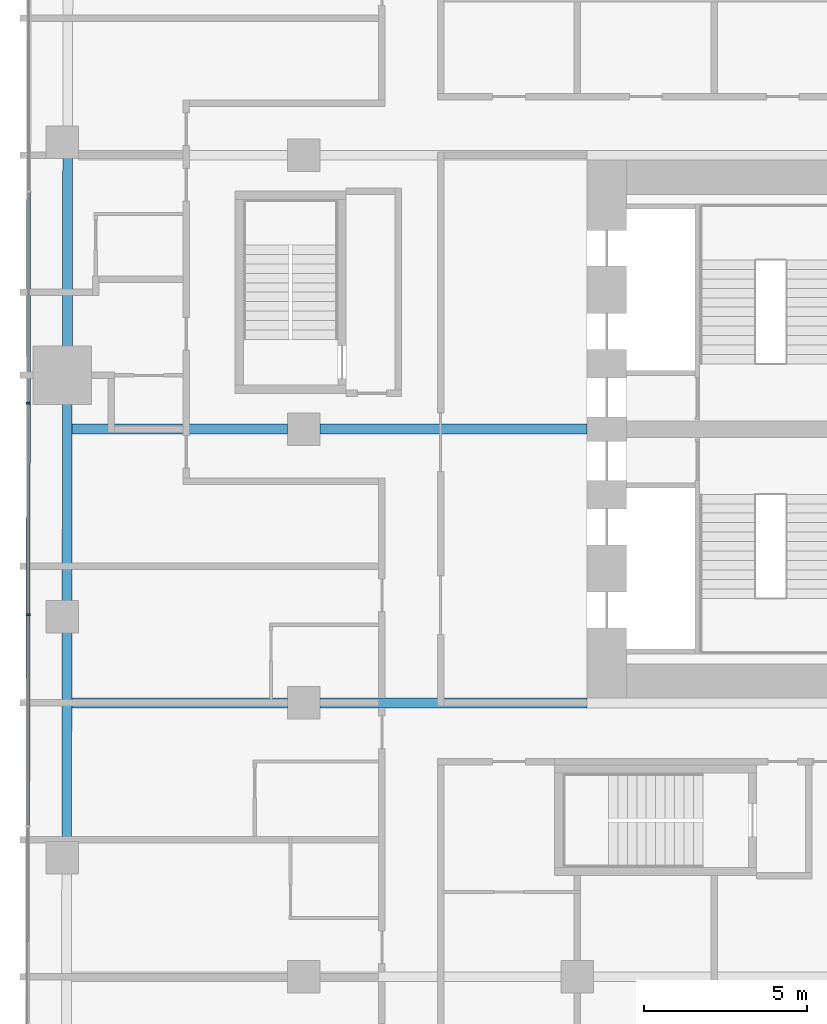
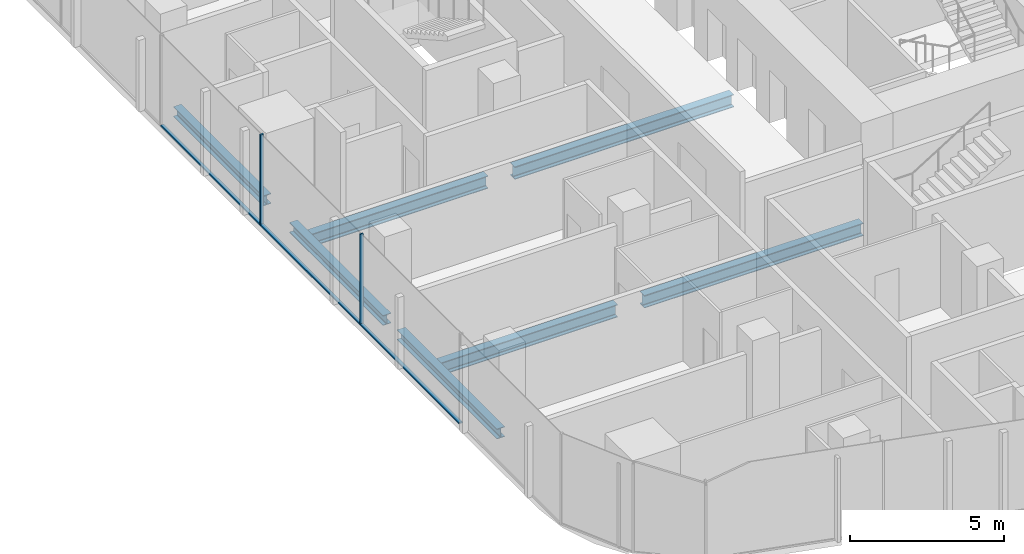
# One storey, part 4 of 26: 7 beams, 5 members, 1 element without a shape of its own.
"""IFC4 building model written with IfcOpenShell, lengths in metres."""

from ifc_helpers import new_model, si_unit, direction, frame, origin, origin_2d, place, context, subcontext, project, spatial, rectangle, i_section, extrude, material, layer, layer_set, material_profile, profile_set, type_object, element, aggregate, save


model = new_model("IFC4")

# Units and contexts
model_context = context("Model", 3, precision=1e-05, world=origin(), true_north=direction((0.0, 1.0)))
body_context = subcontext(model_context, "Body", "Model", "MODEL_VIEW")
ifc_project = project(units=[si_unit("LENGTHUNIT", "METRE"), si_unit("AREAUNIT", "SQUARE_METRE"), si_unit("VOLUMEUNIT", "CUBIC_METRE"), si_unit("PLANEANGLEUNIT", "RADIAN"), si_unit("MASSUNIT", "GRAM", prefix="KILO")], contexts=[model_context])

# Site, building, storey
site_placement = place(None, origin())
site = spatial("IfcSite", under=ifc_project, at=site_placement, CompositionType="ELEMENT")
building_placement = place(site_placement, origin())
building = spatial("IfcBuilding", under=site, at=building_placement, Name="Marenta Gate Hotel Tower", CompositionType="ELEMENT")
storey_placement = place(building_placement, frame((0.0, 0.0, 58.10009765625)))
storey = spatial("IfcBuildingStorey", under=building, at=storey_placement, Name="L12", CompositionType="ELEMENT", Elevation=58.10009765625)

# Beams
ifc_material_1 = material(Name="Steel S355", Category="steel")
ifc_material_profile_1 = material_profile(ifc_material_1, i_section(OverallWidth=0.300048828125, OverallDepth=0.39990234375, WebThickness=0.013427734375, FlangeThickness=0.02392578125, FilletRadius=0.027099609375, at=origin_2d()), Name="HEB 400")
ifc_profile_set_1 = profile_set([ifc_material_profile_1], Name="Steel S355")
beam_type_1 = type_object("IfcBeamType", Name="Edge beam HEB 400", PredefinedType="SPANDREL", material=ifc_profile_set_1)
beam_1_placement = place(storey_placement, frame((-28.267333984375, -4.2919921875, -0.460205078125), z_axis=(0.001393753119, 0.999999028726, 0.0), x_axis=(-0.999999028726, 0.001393753119, 0.0)))
element("IfcBeam", 1, at=beam_1_placement, inside=storey, type_object=beam_type_1, Name="L12-EB-6", PredefinedType="SPANDREL", context=body_context, shape_type="SweptSolid", body=[
    extrude(i_section(OverallWidth=0.300048828125, OverallDepth=0.39990234375, WebThickness=0.013427734375, FlangeThickness=0.02392578125, FilletRadius=0.027099609375, at=origin_2d()), origin(), (0.0, 0.0, 1.0), 6.481201171875),
])
beam_2_placement = place(storey_placement, frame((-28.257080078125, 3.109130859375, -0.460205078125), z_axis=(0.001405226059, 0.999999012669, 0.0), x_axis=(-0.999999012669, 0.001405226059, 0.0)))
element("IfcBeam", 2, at=beam_2_placement, inside=storey, type_object=beam_type_1, Name="L12-EB-7", PredefinedType="SPANDREL", context=body_context, shape_type="SweptSolid", body=[
    extrude(i_section(OverallWidth=0.300048828125, OverallDepth=0.39990234375, WebThickness=0.013427734375, FlangeThickness=0.02392578125, FilletRadius=0.027099609375, at=origin_2d()), origin(), (0.0, 0.0, 1.0), 6.080810546875),
])
beam_3_placement = place(storey_placement, frame((-28.246337890625, 10.909912109375, -0.460205078125), z_axis=(0.001423009483, 0.999998987521, 0.0), x_axis=(-0.999998987521, 0.001423009483, 0.0)))
element("IfcBeam", 3, at=beam_3_placement, inside=storey, type_object=beam_type_1, Name="L12-EB-8", PredefinedType="SPANDREL", context=body_context, shape_type="SweptSolid", body=[
    extrude(i_section(OverallWidth=0.300048828125, OverallDepth=0.39990234375, WebThickness=0.013427734375, FlangeThickness=0.02392578125, FilletRadius=0.027099609375, at=origin_2d()), origin(), (0.0, 0.0, 1.0), 5.833251953125),
])
ifc_material_2 = material(Name="Steel S355", Category="steel")
ifc_material_profile_2 = material_profile(ifc_material_2, i_section(OverallWidth=0.300048828125, OverallDepth=0.5, WebThickness=0.014404296875, FlangeThickness=0.028076171875, FilletRadius=0.027099609375, at=origin_2d()), Name="HEB 500")
ifc_profile_set_2 = profile_set([ifc_material_profile_2], Name="Steel S355")
beam_type_2 = type_object("IfcBeamType", Name="Girder HEB 500", PredefinedType="BEAM", material=ifc_profile_set_2)
beam_4_placement = place(storey_placement, frame((-28.111328125, 0.0, -0.510009765625), z_axis=(1.0, 0.0, 0.0), x_axis=(0.0, 1.0, 0.0)))
element("IfcBeam", 4, at=beam_4_placement, inside=storey, type_object=beam_type_2, Name="L12-GD-8", PredefinedType="BEAM", context=body_context, shape_type="SweptSolid", body=[
    extrude(i_section(OverallWidth=0.300048828125, OverallDepth=0.5, WebThickness=0.014404296875, FlangeThickness=0.028076171875, FilletRadius=0.027099609375, at=origin_2d()), origin(), (0.0, 0.0, 1.0), 6.611328125),
])
beam_5_placement = place(storey_placement, frame((-20.5, 0.0, -0.510009765625), z_axis=(1.0, 0.0, 0.0), x_axis=(0.0, 1.0, 0.0)))
element("IfcBeam", 5, at=beam_5_placement, inside=storey, type_object=beam_type_2, Name="L12-GD-9", PredefinedType="BEAM", context=body_context, shape_type="SweptSolid", body=[
    extrude(i_section(OverallWidth=0.300048828125, OverallDepth=0.5, WebThickness=0.014404296875, FlangeThickness=0.028076171875, FilletRadius=0.027099609375, at=origin_2d()), origin(), (0.0, 0.0, 1.0), 8.199951171875),
])
beam_6_placement = place(storey_placement, frame((-28.099609375, 8.39990234375, -0.510009765625), z_axis=(1.0, 0.0, 0.0), x_axis=(0.0, 1.0, 0.0)))
element("IfcBeam", 6, at=beam_6_placement, inside=storey, type_object=beam_type_2, Name="L12-GD-13", PredefinedType="BEAM", context=body_context, shape_type="SweptSolid", body=[
    extrude(i_section(OverallWidth=0.300048828125, OverallDepth=0.5, WebThickness=0.014404296875, FlangeThickness=0.028076171875, FilletRadius=0.027099609375, at=origin_2d()), origin(), (0.0, 0.0, 1.0), 6.599609375),
])
beam_7_placement = place(storey_placement, frame((-20.5, 8.39990234375, -0.510009765625), z_axis=(1.0, 0.0, 0.0), x_axis=(0.0, 1.0, 0.0)))
element("IfcBeam", 7, at=beam_7_placement, inside=storey, type_object=beam_type_2, Name="L12-GD-14", PredefinedType="BEAM", context=body_context, shape_type="SweptSolid", body=[
    extrude(i_section(OverallWidth=0.300048828125, OverallDepth=0.5, WebThickness=0.014404296875, FlangeThickness=0.028076171875, FilletRadius=0.027099609375, at=origin_2d()), origin(), (0.0, 0.0, 1.0), 8.199951171875),
])

# Curtain wall, members
ifc_material_3 = material(Name="Tinted insulated glass in bronze anodised frame", Category="glass")
ifc_layer = layer(ifc_material_3, 0.1201171875)
ifc_layer_set = layer_set([ifc_layer], Name="Tinted insulated glass in bronze anodised frame")
curtain_wall_type = type_object("IfcCurtainWallType", Name="Tower unitised curtain wall CW1", PredefinedType="NOTDEFINED", material=ifc_layer_set)
curtain_wall_placement = place(storey_placement, origin())
curtain_wall = element("IfcCurtainWall", 8, at=curtain_wall_placement, inside=storey, type_object=curtain_wall_type, Name="CW1 run G03", PredefinedType="NOTDEFINED")
ifc_material_4 = material(Name="Bronze anodised aluminium", Category="aluminium")
ifc_material_profile_3 = material_profile(ifc_material_4, rectangle(XDim=0.1201171875, YDim=0.06005859375, at=origin_2d()), Name="Mullion CW1 60x120 bronze anodised aluminium")
ifc_profile_set_3 = profile_set([ifc_material_profile_3], Name="Bronze anodised aluminium")
member_type_1 = type_object("IfcMemberType", Name="Mullion CW1 60x120 bronze anodised aluminium", PredefinedType="MULLION", material=ifc_profile_set_3)
member_1_placement = place(storey_placement, frame((-29.44287109375, 9.195068359375, 0.0), z_axis=(0.0, 0.0, 1.0), x_axis=(0.99999877316, -0.00156642217, 0.0)))
member_1 = element("IfcMember", 9, at=member_1_placement, type_object=member_type_1, Name="CW1 mullion 4", PredefinedType="MULLION", context=body_context, shape_type="SweptSolid", body=[
    extrude(rectangle(XDim=0.1201171875, YDim=0.06005859375, at=origin_2d()), origin(), (0.0, 0.0, 1.0), 3.599853515625),
])
member_2_placement = place(storey_placement, frame((-29.452880859375, 2.704833984375, 0.0), z_axis=(0.0, 0.0, 1.0), x_axis=(0.99999877316, -0.00156642217, 0.0)))
member_2 = element("IfcMember", 10, at=member_2_placement, type_object=member_type_1, Name="CW1 mullion 5", PredefinedType="MULLION", context=body_context, shape_type="SweptSolid", body=[
    extrude(rectangle(XDim=0.1201171875, YDim=0.06005859375, at=origin_2d()), origin(), (0.0, 0.0, 1.0), 3.599853515625),
])
ifc_material_5 = material(Name="Bronze anodised aluminium", Category="aluminium")
ifc_material_profile_4 = material_profile(ifc_material_5, rectangle(XDim=0.1201171875, YDim=0.06005859375, at=origin_2d()), Name="Transom CW1 60x120 bronze anodised aluminium")
ifc_profile_set_4 = profile_set([ifc_material_profile_4], Name="Bronze anodised aluminium")
member_type_2 = type_object("IfcMemberType", Name="Transom CW1 60x120 bronze anodised aluminium", PredefinedType="USERDEFINED", material=ifc_profile_set_4)
member_3_placement = place(storey_placement, frame((-29.4326171875, 15.655517578125, 0.02978515625), z_axis=(-0.001594591541, -0.999998728638, 0.0), x_axis=(0.999998728638, -0.001594591541, 0.0)))
member_3 = element("IfcMember", 11, at=member_3_placement, type_object=member_type_2, Name="CW1 transom 3.1", ObjectType="TRANSOM", PredefinedType="USERDEFINED", context=body_context, shape_type="SweptSolid", body=[
    extrude(rectangle(XDim=0.1201171875, YDim=0.06005859375, at=origin_2d()), origin(), (0.0, 0.0, 1.0), 6.430419921875),
])
member_4_placement = place(storey_placement, frame((-29.44287109375, 9.1650390625, 0.02978515625), z_axis=(-0.001556625169, -0.999998788458, 0.0), x_axis=(0.999998788458, -0.001556625169, 0.0)))
member_4 = element("IfcMember", 12, at=member_4_placement, type_object=member_type_2, Name="CW1 transom 4.1", ObjectType="TRANSOM", PredefinedType="USERDEFINED", context=body_context, shape_type="SweptSolid", body=[
    extrude(rectangle(XDim=0.1201171875, YDim=0.06005859375, at=origin_2d()), origin(), (0.0, 0.0, 1.0), 6.430419921875),
])
member_5_placement = place(storey_placement, frame((-29.453125, 2.6748046875, 0.02978515625), z_axis=(-0.001556625169, -0.999998788458, 0.0), x_axis=(0.999998788458, -0.001556625169, 0.0)))
member_5 = element("IfcMember", 13, at=member_5_placement, type_object=member_type_2, Name="CW1 transom 5.1", ObjectType="TRANSOM", PredefinedType="USERDEFINED", context=body_context, shape_type="SweptSolid", body=[
    extrude(rectangle(XDim=0.1201171875, YDim=0.06005859375, at=origin_2d()), origin(), (0.0, 0.0, 1.0), 6.430419921875),
])
aggregate(curtain_wall, [member_1, member_2, member_3, member_4, member_5])

save(model, "model.ifc")
